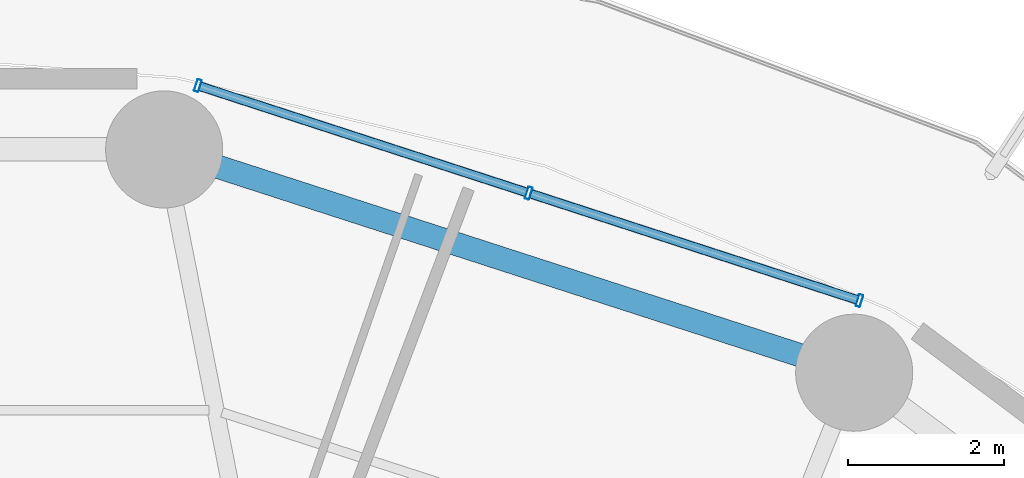
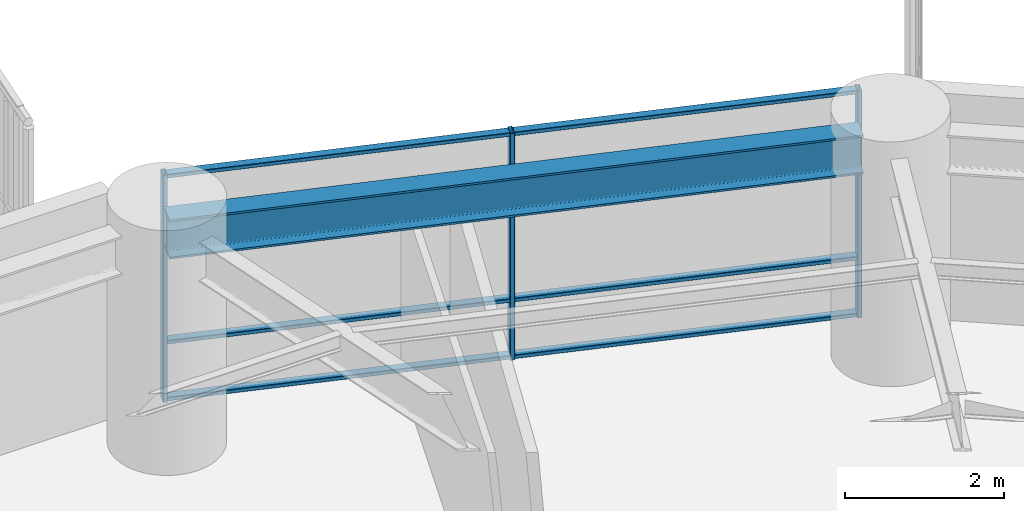
# One storey, part 21 of 32: 9 members, 1 beam, 1 element without a shape of its own.
"""IFC4 building model written with IfcOpenShell, lengths in metres."""

from ifc_helpers import new_model, si_unit, direction, frame, origin, origin_2d, place, context, subcontext, project, spatial, hollow_rectangle, i_section, extrude, material, layer, layer_set, material_profile, profile_set, type_object, element, aggregate, save


model = new_model("IFC4")

# Units and contexts
model_context = context("Model", 3, precision=1e-05, world=origin(), true_north=direction((0.0, 1.0)))
body_context = subcontext(model_context, "Body", "Model", "MODEL_VIEW")
ifc_project = project(units=[si_unit("LENGTHUNIT", "METRE"), si_unit("AREAUNIT", "SQUARE_METRE"), si_unit("VOLUMEUNIT", "CUBIC_METRE"), si_unit("PLANEANGLEUNIT", "RADIAN"), si_unit("MASSUNIT", "GRAM", prefix="KILO")], contexts=[model_context])

# Site, building, storey
site_placement = place(None, origin())
site = spatial("IfcSite", under=ifc_project, at=site_placement, CompositionType="ELEMENT")
building_placement = place(site_placement, origin())
building = spatial("IfcBuilding", under=site, at=building_placement, Name="Kelanora Arch Commons", CompositionType="ELEMENT")
storey_placement = place(building_placement, frame((0.0, 0.0, 60.0)))
storey = spatial("IfcBuildingStorey", under=building, at=storey_placement, Name="L15", CompositionType="ELEMENT", Elevation=60.0)

# Beam
ifc_material_1 = material(Name="Steel S355", Category="steel")
ifc_material_profile_1 = material_profile(ifc_material_1, i_section(OverallWidth=0.300048828125, OverallDepth=0.60009765625, WebThickness=0.015380859375, FlangeThickness=0.030029296875, FilletRadius=0.027099609375, at=origin_2d()), Name="HEB600")
ifc_profile_set_1 = profile_set([ifc_material_profile_1], Name="Steel S355")
beam_type = type_object("IfcBeamType", Name="BM-SPN-Z1", PredefinedType="SPANDREL", material=ifc_profile_set_1)
beam_placement = place(storey_placement, frame((87.178466796875, 78.970947265625, 3.18994140625), z_axis=(-0.951414770924, 0.307912217469, 0.0), x_axis=(-0.307912217469, -0.951414770924, 0.0)))
element("IfcBeam", 1, at=beam_placement, inside=storey, type_object=beam_type, Name="Perimeter Spandrel Beam BS-06 L15", PredefinedType="SPANDREL", context=body_context, shape_type="SweptSolid", body=[
    extrude(i_section(OverallWidth=0.300048828125, OverallDepth=0.60009765625, WebThickness=0.015380859375, FlangeThickness=0.030029296875, FilletRadius=0.027099609375, at=origin_2d()), origin(), (0.0, 0.0, 1.0), 8.908935546875),
])

# Curtain wall, members
ifc_material_2 = material(Name="Terracotta ceramic-fritted low-E glass and aluminium", Category="masonry")
ifc_layer = layer(ifc_material_2, 0.159912109375)
ifc_layer_set = layer_set([ifc_layer], Name="Terracotta ceramic-fritted low-E glass and aluminium")
curtain_wall_type = type_object("IfcCurtainWallType", Name="CW-SYS-01", PredefinedType="NOTDEFINED", material=ifc_layer_set)
curtain_wall_placement = place(storey_placement, origin())
curtain_wall = element("IfcCurtainWall", 2, at=curtain_wall_placement, inside=storey, type_object=curtain_wall_type, Name="Unitised Curtain Wall L15-B03", PredefinedType="NOTDEFINED")
ifc_material_3 = material(Name="Powder-coated aluminium terracotta", Category="masonry")
ifc_material_profile_2 = material_profile(ifc_material_3, hollow_rectangle(XDim=0.159912109375, YDim=0.06005859375, WallThickness=0.0048828125, InnerFilletRadius=0.0048828125, OuterFilletRadius=0.010009765625, at=origin_2d()), Name="CWM160x60")
ifc_profile_set_2 = profile_set([ifc_material_profile_2], Name="Powder-coated aluminium terracotta")
member_type_1 = type_object("IfcMemberType", Name="CWM-STD", PredefinedType="MULLION", material=ifc_profile_set_2)
member_1_placement = place(storey_placement, frame((87.607666015625, 79.778076171875, 0.0), z_axis=(0.0, 0.0, 1.0), x_axis=(-0.30905758454, -0.951043326793, 0.0)))
member_1 = element("IfcMember", 3, at=member_1_placement, type_object=member_type_1, Name="CW-01 mullion 1", PredefinedType="MULLION", context=body_context, shape_type="SweptSolid", body=[
    extrude(hollow_rectangle(XDim=0.159912109375, YDim=0.06005859375, WallThickness=0.0048828125, InnerFilletRadius=0.0048828125, OuterFilletRadius=0.010009765625, at=origin_2d()), origin(), (0.0, 0.0, 1.0), 3.47509765625),
])
member_2_placement = place(storey_placement, frame((83.37109375, 81.15478515625, 0.0), z_axis=(0.0, 0.0, 1.0), x_axis=(-0.30905758454, -0.951043326793, 0.0)))
member_2 = element("IfcMember", 4, at=member_2_placement, type_object=member_type_1, Name="CW-01 mullion 2", PredefinedType="MULLION", context=body_context, shape_type="SweptSolid", body=[
    extrude(hollow_rectangle(XDim=0.159912109375, YDim=0.06005859375, WallThickness=0.0048828125, InnerFilletRadius=0.0048828125, OuterFilletRadius=0.010009765625, at=origin_2d()), origin(), (0.0, 0.0, 1.0), 3.47509765625),
])
member_3_placement = place(storey_placement, frame((79.134521484375, 82.53173828125, 0.0), z_axis=(0.0, 0.0, 1.0), x_axis=(-0.30905758454, -0.951043326793, 0.0)))
member_3 = element("IfcMember", 5, at=member_3_placement, type_object=member_type_1, Name="CW-01 mullion 3", PredefinedType="MULLION", context=body_context, shape_type="SweptSolid", body=[
    extrude(hollow_rectangle(XDim=0.159912109375, YDim=0.06005859375, WallThickness=0.0048828125, InnerFilletRadius=0.0048828125, OuterFilletRadius=0.010009765625, at=origin_2d()), origin(), (0.0, 0.0, 1.0), 3.47509765625),
])
ifc_material_profile_3 = material_profile(ifc_material_3, hollow_rectangle(XDim=0.1201171875, YDim=0.06005859375, WallThickness=0.0048828125, InnerFilletRadius=0.0048828125, OuterFilletRadius=0.010009765625, at=origin_2d()), Name="CWT120x60")
ifc_profile_set_3 = profile_set([ifc_material_profile_3], Name="Powder-coated aluminium terracotta")
member_type_2 = type_object("IfcMemberType", Name="CWT-STD", PredefinedType="USERDEFINED", material=ifc_profile_set_3)
member_4_placement = place(storey_placement, frame((87.5791015625, 79.787353515625, 0.030029296875), z_axis=(-0.951045091182, 0.309052155047, 0.0), x_axis=(-0.309052155047, -0.951045091182, 0.0)))
member_4 = element("IfcMember", 6, at=member_4_placement, type_object=member_type_2, Name="CW-01 transom 1.1", ObjectType="TRANSOM", PredefinedType="USERDEFINED", context=body_context, shape_type="SweptSolid", body=[
    extrude(hollow_rectangle(XDim=0.1201171875, YDim=0.06005859375, WallThickness=0.0048828125, InnerFilletRadius=0.0048828125, OuterFilletRadius=0.010009765625, at=origin_2d()), origin(), (0.0, 0.0, 1.0), 4.39453125),
])
member_5_placement = place(storey_placement, frame((87.5791015625, 79.787353515625, 0.89990234375), z_axis=(-0.951045091182, 0.309052155047, 0.0), x_axis=(-0.309052155047, -0.951045091182, 0.0)))
member_5 = element("IfcMember", 7, at=member_5_placement, type_object=member_type_2, Name="CW-01 transom 1.2", ObjectType="TRANSOM", PredefinedType="USERDEFINED", context=body_context, shape_type="SweptSolid", body=[
    extrude(hollow_rectangle(XDim=0.1201171875, YDim=0.06005859375, WallThickness=0.0048828125, InnerFilletRadius=0.0048828125, OuterFilletRadius=0.010009765625, at=origin_2d()), origin(), (0.0, 0.0, 1.0), 4.39453125),
])
member_6_placement = place(storey_placement, frame((87.5791015625, 79.787353515625, 3.445068359375), z_axis=(-0.951045091182, 0.309052155047, 0.0), x_axis=(-0.309052155047, -0.951045091182, 0.0)))
member_6 = element("IfcMember", 8, at=member_6_placement, type_object=member_type_2, Name="CW-01 transom 1.3", ObjectType="TRANSOM", PredefinedType="USERDEFINED", context=body_context, shape_type="SweptSolid", body=[
    extrude(hollow_rectangle(XDim=0.1201171875, YDim=0.06005859375, WallThickness=0.0048828125, InnerFilletRadius=0.0048828125, OuterFilletRadius=0.010009765625, at=origin_2d()), origin(), (0.0, 0.0, 1.0), 4.39453125),
])
member_7_placement = place(storey_placement, frame((83.342529296875, 81.1640625, 0.030029296875), z_axis=(-0.951028761285, 0.309102402464, 0.0), x_axis=(-0.309102402464, -0.951028761285, 0.0)))
member_7 = element("IfcMember", 9, at=member_7_placement, type_object=member_type_2, Name="CW-01 transom 2.1", ObjectType="TRANSOM", PredefinedType="USERDEFINED", context=body_context, shape_type="SweptSolid", body=[
    extrude(hollow_rectangle(XDim=0.1201171875, YDim=0.06005859375, WallThickness=0.0048828125, InnerFilletRadius=0.0048828125, OuterFilletRadius=0.010009765625, at=origin_2d()), origin(), (0.0, 0.0, 1.0), 4.394775390625),
])
member_8_placement = place(storey_placement, frame((83.342529296875, 81.1640625, 0.89990234375), z_axis=(-0.951028761285, 0.309102402464, 0.0), x_axis=(-0.309102402464, -0.951028761285, 0.0)))
member_8 = element("IfcMember", 10, at=member_8_placement, type_object=member_type_2, Name="CW-01 transom 2.2", ObjectType="TRANSOM", PredefinedType="USERDEFINED", context=body_context, shape_type="SweptSolid", body=[
    extrude(hollow_rectangle(XDim=0.1201171875, YDim=0.06005859375, WallThickness=0.0048828125, InnerFilletRadius=0.0048828125, OuterFilletRadius=0.010009765625, at=origin_2d()), origin(), (0.0, 0.0, 1.0), 4.394775390625),
])
member_9_placement = place(storey_placement, frame((83.342529296875, 81.1640625, 3.445068359375), z_axis=(-0.951028761285, 0.309102402464, 0.0), x_axis=(-0.309102402464, -0.951028761285, 0.0)))
member_9 = element("IfcMember", 11, at=member_9_placement, type_object=member_type_2, Name="CW-01 transom 2.3", ObjectType="TRANSOM", PredefinedType="USERDEFINED", context=body_context, shape_type="SweptSolid", body=[
    extrude(hollow_rectangle(XDim=0.1201171875, YDim=0.06005859375, WallThickness=0.0048828125, InnerFilletRadius=0.0048828125, OuterFilletRadius=0.010009765625, at=origin_2d()), origin(), (0.0, 0.0, 1.0), 4.394775390625),
])
aggregate(curtain_wall, [member_1, member_2, member_3, member_4, member_5, member_6, member_7, member_8, member_9])

save(model, "model.ifc")
